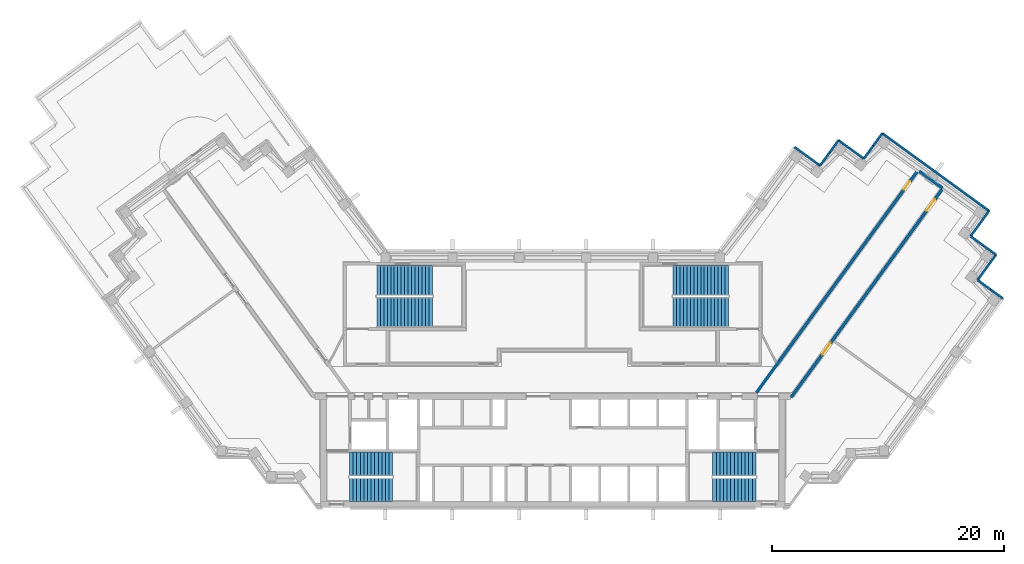
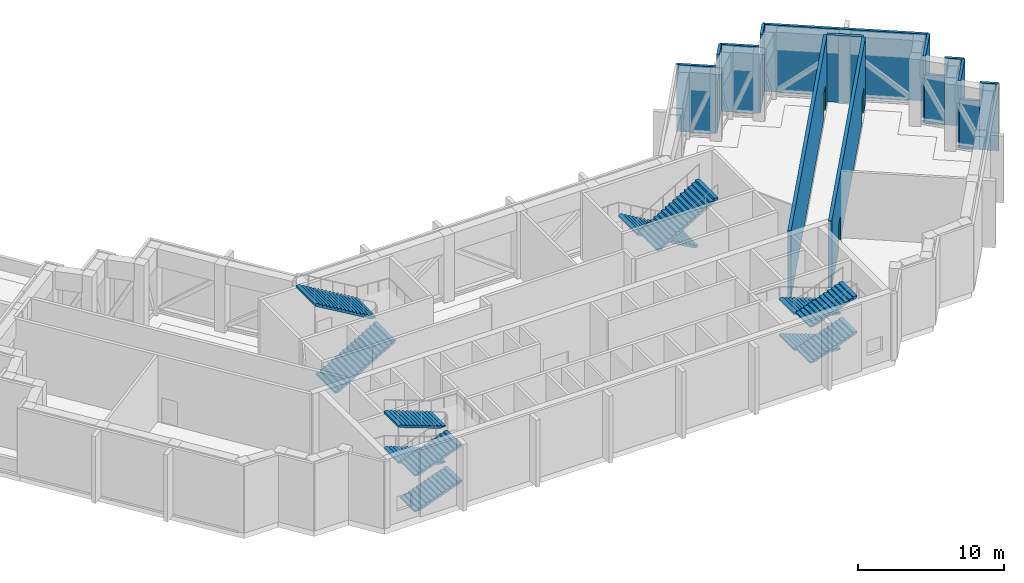
# One storey, part 12 of 15: 16 walls, 12 stair flights, 3 doors, 3 openings, 4 elements without a shape of their own.
"""IFC4 building model written with IfcOpenShell, lengths in metres."""

import ifcopenshell
import ifcopenshell.guid

model = None  # the IFC model being written
_history = None  # IfcOwnerHistory: only IFC2X3 demands one
_inside = {}  # id of a spatial element -> (the spatial element, [elements in it])
_under = {}  # id of a project, library or spatial element -> (it, [spatial elements below it])
_declared = {}  # id of a project -> (the project, [libraries it declares])
_typed = {}  # id of a type object -> (the type object, [elements of that type])
_made_of = {}  # id of a material, layer set ... -> (it, [elements and type objects made of it])


def new_model(schema):
    """Start an empty IFC model of exactly this schema.

    Asked for "IFC4X3", IfcOpenShell would pick the latest addendum, in which some entities
    have other attributes; the version numbers below select the first issue.
    IFC2X3 requires an IfcOwnerHistory on every rooted entity: one is made here for all.
    """
    global model, _history
    if schema == "IFC4X3":
        model = ifcopenshell.file(schema_version=(4, 3, 0, 0))
    else:
        model = ifcopenshell.file(schema=schema)
    _inside.clear()
    _under.clear()
    _declared.clear()
    _typed.clear()
    _made_of.clear()
    _history = None
    if model.schema == "IFC2X3":
        org = make("IfcOrganization", Name="unknown")
        user = make(
            "IfcPersonAndOrganization",
            ThePerson=make("IfcPerson", FamilyName="unknown"),
            TheOrganization=org,
        )
        app = make(
            "IfcApplication",
            ApplicationDeveloper=org,
            Version="unknown",
            ApplicationFullName="unknown",
            ApplicationIdentifier="unknown",
        )
        _history = make(
            "IfcOwnerHistory",
            OwningUser=user,
            OwningApplication=app,
            ChangeAction="ADDED",
            CreationDate=0,
        )
    return model


def make(cls, **values):
    """One entity of the class cls with the attributes given. An attribute that is None is left unset."""
    return model.create_entity(
        cls, **{name: value for name, value in values.items() if value is not None}
    )


def rooted(cls, **values):
    """An entity with a GlobalId (a new one), such as an element, a storey or a relation."""
    return make(cls, GlobalId=ifcopenshell.guid.new(), OwnerHistory=_history, **values)


def si_unit(unit_type, name, prefix=None):
    """IfcSIUnit, for example si_unit("LENGTHUNIT", "METRE", prefix="MILLI")."""
    return make("IfcSIUnit", UnitType=unit_type, Prefix=prefix, Name=name)


def assignment(units):
    """IfcUnitAssignment: the units of a project."""
    return None if units is None else make("IfcUnitAssignment", Units=units)


def point(xyz):
    """IfcCartesianPoint."""
    return None if xyz is None else make("IfcCartesianPoint", Coordinates=xyz)


def direction(xyz):
    """IfcDirection."""
    return None if xyz is None else make("IfcDirection", DirectionRatios=xyz)


def frame(location, z_axis=None, x_axis=None):
    """IfcAxis2Placement3D, a coordinate frame: its origin and axes. An axis left out is left unset."""
    return make(
        "IfcAxis2Placement3D",
        Location=point(location),
        Axis=direction(z_axis),
        RefDirection=direction(x_axis),
    )


def frame_2d(location, x_axis=None):
    """IfcAxis2Placement2D, a coordinate frame in the plane: its origin and x axis."""
    return make(
        "IfcAxis2Placement2D", Location=point(location), RefDirection=direction(x_axis)
    )


def origin():
    """The frame at (0, 0, 0) with its axes left unset."""
    return frame((0.0, 0.0, 0.0))


def place(relative_to, where):
    """IfcLocalPlacement: puts the frame where relative to a parent placement (None: the world)."""
    return make(
        "IfcLocalPlacement", PlacementRelTo=relative_to, RelativePlacement=where
    )


def context(
    kind, dimensions, precision=None, world=None, true_north=None, identifier=None
):
    """IfcGeometricRepresentationContext, for example the 3D "Model" context."""
    return make(
        "IfcGeometricRepresentationContext",
        ContextIdentifier=identifier,
        ContextType=kind,
        CoordinateSpaceDimension=dimensions,
        Precision=precision,
        WorldCoordinateSystem=world,
        TrueNorth=true_north,
    )


def subcontext(parent, identifier, kind, view, scale=None):
    """IfcGeometricRepresentationSubContext, for example "Body" below "Model"."""
    return make(
        "IfcGeometricRepresentationSubContext",
        ContextIdentifier=identifier,
        ContextType=kind,
        ParentContext=parent,
        TargetScale=scale,
        TargetView=view,
    )


def project(units=None, contexts=None):
    """IfcProject with its units and contexts."""
    return rooted(
        "IfcProject",
        Name="project",
        RepresentationContexts=contexts,
        UnitsInContext=assignment(units),
    )


def spatial(cls, under=None, at=None, **own):
    """A site, building, storey or space (cls), placed at a placement, below another one or the project."""
    s = rooted(cls, ObjectPlacement=at, **own)
    if under is not None:
        _under.setdefault(under.id(), (under, []))[1].append(s)
    return s


def polyline(points):
    """IfcPolyline through the points."""
    return make("IfcPolyline", Points=[point(p) for p in points])


def profile(cls, at=None, kind="AREA", **sizes):
    """A parametric profile (cls). Its sizes go by their IFC names, for example OverallWidth=200.0."""
    return make(cls, ProfileType=kind, Position=at, **sizes)


def rectangle(**sizes):
    """IfcRectangleProfileDef."""
    return profile("IfcRectangleProfileDef", **sizes)


def outline(outer, holes=None, kind="AREA"):
    """IfcArbitraryClosedProfileDef: a profile drawn as a closed curve; with holes, ...WithVoids."""
    if holes is None:
        return make("IfcArbitraryClosedProfileDef", ProfileType=kind, OuterCurve=outer)
    return make(
        "IfcArbitraryProfileDefWithVoids",
        ProfileType=kind,
        OuterCurve=outer,
        InnerCurves=holes,
    )


def extrude(swept, where, along, depth):
    """IfcExtrudedAreaSolid: the profile swept, set in the frame where, extruded along a direction by depth."""
    return make(
        "IfcExtrudedAreaSolid",
        SweptArea=swept,
        Position=where,
        ExtrudedDirection=direction(along),
        Depth=depth,
    )


def shape(context_of_items, identifier, shape_type, items):
    """IfcShapeRepresentation: the items that make up one representation, for example the "Body"."""
    return make(
        "IfcShapeRepresentation",
        ContextOfItems=context_of_items,
        RepresentationIdentifier=identifier,
        RepresentationType=shape_type,
        Items=items,
    )


def material(Name=None, Category=None):
    """IfcMaterial."""
    return make("IfcMaterial", Name=Name, Category=Category)


def layer(
    of_material, thickness, ventilated=None, Name=None, Category=None, Priority=None
):
    """IfcMaterialLayer: one layer of a wall or slab, of a material (None: an air gap)."""
    return make(
        "IfcMaterialLayer",
        Material=of_material,
        LayerThickness=thickness,
        IsVentilated=ventilated,
        Name=Name,
        Category=Category,
        Priority=Priority,
    )


def layer_set(layers, Name=None):
    """IfcMaterialLayerSet."""
    return make("IfcMaterialLayerSet", MaterialLayers=layers, LayerSetName=Name)


def made_of(thing, what):
    """Note that an element or type object is made of a material, layer set ...; save() writes the relation."""
    if what is not None:
        _made_of.setdefault(what.id(), (what, []))[1].append(thing)
    return thing


def type_object(cls, material=None, **own):
    """A type object (cls), such as IfcWallType, which elements share."""
    return made_of(rooted(cls, **own), material)


def element(
    cls,
    number,
    at=None,
    inside=None,
    cuts=None,
    type_object=None,
    material=None,
    context=None,
    identifier="Body",
    shape_type=None,
    held_by="IfcProductDefinitionShape",
    body=None,
    shapes=None,
    **own,
):
    """One element of the class cls, such as IfcWall. Its Tag is "e" and its number.

    at: its placement. inside: the storey or other place that contains it. cuts: it is an
    opening in that element (IfcRelVoidsElement). A single representation is given by context,
    identifier, shape_type and body (its items); several are given by shapes. held_by: the class
    of the entity that holds the representations. save() writes the other relations.
    """
    e = rooted(cls, Tag="e%d" % number, ObjectPlacement=at, **own)
    if body is not None:
        shapes = [shape(context, identifier, shape_type, body)]
    if shapes is not None:
        e.Representation = make(held_by, Representations=shapes)
    if inside is not None:
        _inside.setdefault(inside.id(), (inside, []))[1].append(e)
    if cuts is not None:
        rooted(
            "IfcRelVoidsElement", RelatingBuildingElement=cuts, RelatedOpeningElement=e
        )
    if type_object is not None:
        _typed.setdefault(type_object.id(), (type_object, []))[1].append(e)
    return made_of(e, material)


def fill(opening, filler):
    """IfcRelFillsElement: the door or window that sits in an opening."""
    return rooted(
        "IfcRelFillsElement",
        RelatingOpeningElement=opening,
        RelatedBuildingElement=filler,
    )


def aggregate(whole, parts):
    """IfcRelAggregates: a whole, such as a stair, and the parts it consists of."""
    return rooted("IfcRelAggregates", RelatingObject=whole, RelatedObjects=parts)


def save(model, path):
    """Write the relations noted so far, then the file.

    IfcRelAggregates (storeys below a building ...), IfcRelContainedInSpatialStructure (elements
    in a storey), IfcRelDefinesByType, IfcRelAssociatesMaterial and IfcRelDeclares: one each for
    every whole, place, type object, material and project.
    """
    for whole, parts in _under.values():
        aggregate(whole, parts)
    for where, things in _inside.values():
        rooted(
            "IfcRelContainedInSpatialStructure",
            RelatedElements=things,
            RelatingStructure=where,
        )
    for kind, things in _typed.values():
        rooted("IfcRelDefinesByType", RelatedObjects=things, RelatingType=kind)
    for what, things in _made_of.values():
        rooted("IfcRelAssociatesMaterial", RelatedObjects=things, RelatingMaterial=what)
    for by, libraries in _declared.values():
        rooted("IfcRelDeclares", RelatingContext=by, RelatedDefinitions=libraries)
    model.write(path)


model = new_model("IFC4")

# Units and contexts
model_context = context("Model", 3, precision=1e-05, world=origin(), true_north=direction((0.0, 1.0)))
body_context = subcontext(model_context, "Body", "Model", "MODEL_VIEW")
ifc_project = project(units=[si_unit("LENGTHUNIT", "METRE"), si_unit("AREAUNIT", "SQUARE_METRE"), si_unit("VOLUMEUNIT", "CUBIC_METRE"), si_unit("PLANEANGLEUNIT", "RADIAN"), si_unit("MASSUNIT", "GRAM", prefix="KILO")], contexts=[model_context])

# Site, building, storey
site_placement = place(None, origin())
site = spatial("IfcSite", under=ifc_project, at=site_placement, CompositionType="ELEMENT")
building_placement = place(site_placement, origin())
building = spatial("IfcBuilding", under=site, at=building_placement, Name="Quipu Civic Tower", CompositionType="ELEMENT")
storey_placement = place(building_placement, frame((0.0, 0.0, 242.0)))
storey = spatial("IfcBuildingStorey", under=building, at=storey_placement, Name="L57", CompositionType="ELEMENT", Elevation=242.0)

# Wall, opening, door
ifc_material_1 = material(Name="Concrete C50/60", Category="concrete")
ifc_layer = layer(ifc_material_1, 0.25)
ifc_layer_set = layer_set([ifc_layer], Name="Concrete C50/60")
wall_type_1 = type_object("IfcWallType", Name="Corridor wall 250 concrete", PredefinedType="SOLIDWALL", material=ifc_layer_set)
wall_1_placement = place(storey_placement, frame((17.544921875, -1.124755859375, 0.0), z_axis=(0.0, 0.0, 1.0), x_axis=(0.587789755823, 0.80901372235, 0.0)))
wall_1 = element("IfcWall", 1, at=wall_1_placement, inside=storey, type_object=wall_type_1, Name="Corridor wall C03", PredefinedType="SOLIDWALL", context=body_context, shape_type="SweptSolid", body=[
    extrude(rectangle(XDim=23.64453125, YDim=0.25, at=frame_2d((11.822265625, 0.0))), origin(), (0.0, 0.0, 1.0), 5.60009765625),
])
opening_1_placement = place(wall_1_placement, frame((21.602783203125, 0.0, 0.0)))
opening_1 = element("IfcOpeningElement", 2, at=opening_1_placement, cuts=wall_1, Name="Opening D001", PredefinedType="OPENING", context=body_context, shape_type="SweptSolid", body=[
    extrude(rectangle(XDim=0.89990234375, YDim=2.10009765625, at=frame_2d((0.449951171875, 1.050048828125))), frame((0.0, 0.135009765625, 0.0), z_axis=(0.0, -1.0, 0.0), x_axis=(1.0, 0.0, 0.0)), (0.0, 0.0, 1.0), 0.27001953125),
])
ifc_material_2 = material(Name="Fire rated timber door set with metal frame", Category="wood")
door_type_1 = type_object("IfcDoorType", Name="Single door 900 x 2100 FD60", OperationType="NOTDEFINED", PredefinedType="DOOR", material=ifc_material_2)
door_1_placement = place(opening_1_placement, origin())
door_1 = element("IfcDoor", 3, at=door_1_placement, inside=storey, type_object=door_type_1, Name="Door D001", OperationType="SINGLE_SWING_RIGHT", OverallHeight=2.10009765625, OverallWidth=0.89990234375, PredefinedType="DOOR", context=body_context, shape_type="SweptSolid", body=[
    extrude(rectangle(XDim=0.89990234375, YDim=2.10009765625, at=frame_2d((0.449951171875, 1.050048828125))), frame((0.0, 0.02490234375, 0.0), z_axis=(0.0, -1.0, 0.0), x_axis=(1.0, 0.0, 0.0)), (0.0, 0.0, 1.0), 0.050048828125),
])
fill(opening_1, door_1)

# Wall
wall_2_placement = place(storey_placement, frame((31.566650390625, 17.95556640625, 0.0), z_axis=(0.0, 0.0, 1.0), x_axis=(0.809011863271, -0.587792314586, 0.0)))
element("IfcWall", 4, at=wall_2_placement, inside=storey, type_object=wall_type_1, Name="Corridor wall C04", PredefinedType="SOLIDWALL", context=body_context, shape_type="SweptSolid", body=[
    extrude(rectangle(XDim=2.487548828125, YDim=0.25, at=frame_2d((1.24365234375, 0.0))), origin(), (0.0, 0.0, 1.0), 5.60009765625),
])

# Wall, openings, doors
wall_3_placement = place(storey_placement, frame((33.53076171875, 16.369384765625, 0.0), z_axis=(0.0, 0.0, 1.0), x_axis=(-0.587781095509, -0.809020014438, 0.0)))
wall_3 = element("IfcWall", 5, at=wall_3_placement, inside=storey, type_object=wall_type_1, Name="Corridor wall C05", PredefinedType="SOLIDWALL", context=body_context, shape_type="SweptSolid", body=[
    extrude(rectangle(XDim=22.11669921875, YDim=0.25, at=frame_2d((11.058349609375, 0.0))), origin(), (0.0, 0.0, 1.0), 5.60009765625),
])
opening_2_placement = place(wall_3_placement, frame((16.3515625, 0.0, 0.0)))
opening_2 = element("IfcOpeningElement", 6, at=opening_2_placement, cuts=wall_3, Name="Opening D002", PredefinedType="OPENING", context=body_context, shape_type="SweptSolid", body=[
    extrude(rectangle(XDim=1.199951171875, YDim=2.10009765625, at=frame_2d((0.60009765625, 1.050048828125))), frame((0.0, 0.135009765625, 0.0), z_axis=(0.0, -1.0, 0.0), x_axis=(1.0, 0.0, 0.0)), (0.0, 0.0, 1.0), 0.27001953125),
])
opening_3_placement = place(wall_3_placement, frame((1.04638671875, 0.0, 0.0)))
opening_3 = element("IfcOpeningElement", 7, at=opening_3_placement, cuts=wall_3, Name="Opening D003", PredefinedType="OPENING", context=body_context, shape_type="SweptSolid", body=[
    extrude(rectangle(XDim=1.199951171875, YDim=2.10009765625, at=frame_2d((0.60009765625, 1.050048828125))), frame((0.0, 0.135009765625, 0.0), z_axis=(0.0, -1.0, 0.0), x_axis=(1.0, 0.0, 0.0)), (0.0, 0.0, 1.0), 0.27001953125),
])
ifc_material_3 = material(Name="Fire rated timber door set with metal frame", Category="wood")
door_type_2 = type_object("IfcDoorType", Name="Single door 1200 x 2100 FD60", OperationType="NOTDEFINED", PredefinedType="DOOR", material=ifc_material_3)
door_2_placement = place(opening_2_placement, origin())
door_2 = element("IfcDoor", 8, at=door_2_placement, inside=storey, type_object=door_type_2, Name="Door D002", OperationType="SINGLE_SWING_LEFT", OverallHeight=2.10009765625, OverallWidth=1.199951171875, PredefinedType="DOOR", context=body_context, shape_type="SweptSolid", body=[
    extrude(rectangle(XDim=1.199951171875, YDim=2.10009765625, at=frame_2d((0.60009765625, 1.050048828125))), frame((0.0, 0.02490234375, 0.0), z_axis=(0.0, -1.0, 0.0), x_axis=(1.0, 0.0, 0.0)), (0.0, 0.0, 1.0), 0.050048828125),
])
fill(opening_2, door_2)
door_3_placement = place(opening_3_placement, origin())
door_3 = element("IfcDoor", 9, at=door_3_placement, inside=storey, type_object=door_type_2, Name="Door D003", OperationType="SINGLE_SWING_LEFT", OverallHeight=2.10009765625, OverallWidth=1.199951171875, PredefinedType="DOOR", context=body_context, shape_type="SweptSolid", body=[
    extrude(rectangle(XDim=1.199951171875, YDim=2.10009765625, at=frame_2d((0.60009765625, 1.050048828125))), frame((0.0, 0.02490234375, 0.0), z_axis=(0.0, -1.0, 0.0), x_axis=(1.0, 0.0, 0.0)), (0.0, 0.0, 1.0), 0.050048828125),
])
fill(opening_3, door_3)

# Walls
ifc_material_4 = material(Name="Precast concrete C40/50", Category="concrete")
wall_type_2 = type_object("IfcWallType", Name="Precast cladding wall", PredefinedType="SOLIDWALL", material=ifc_material_4)
wall_4_placement = place(storey_placement, frame((38.7890625, 6.976318359375, 0.0), z_axis=(0.0, 0.0, 1.0), x_axis=(-0.809011398613, 0.587792954121, 0.0)))
element("IfcWall", 10, at=wall_4_placement, inside=storey, type_object=wall_type_2, Name="Precast cladding wall L57 26", PredefinedType="SOLIDWALL", context=body_context, shape_type="SweptSolid", body=[
    extrude(rectangle(XDim=1.303466796875, YDim=0.199951171875, at=frame_2d((0.65185546875, 0.0))), origin(), (0.0, 0.0, 1.0), 5.60009765625),
])
wall_5_placement = place(storey_placement, frame((37.734619140625, 7.742431640625, 0.0), z_axis=(0.0, 0.0, 1.0), x_axis=(-0.808970345434, 0.587849453694, 0.0)))
element("IfcWall", 11, at=wall_5_placement, inside=storey, type_object=wall_type_2, Name="Precast cladding wall L57 26 a", PredefinedType="SOLIDWALL", context=body_context, shape_type="SweptSolid", body=[
    extrude(rectangle(XDim=1.396728515625, YDim=0.199951171875, at=frame_2d((0.6982421875, 0.0))), origin(), (0.0, 0.0, 1.0), 4.10009765625),
])
wall_6_placement = place(storey_placement, frame((36.60205078125, 8.580322265625, 0.0), z_axis=(0.0, 0.0, 1.0), x_axis=(0.587822180636, 0.808990163075, 0.0)))
element("IfcWall", 12, at=wall_6_placement, inside=storey, type_object=wall_type_2, Name="Precast cladding wall L57 27", PredefinedType="SOLIDWALL", context=body_context, shape_type="SweptSolid", body=[
    extrude(rectangle(XDim=2.699951171875, YDim=0.199951171875, at=frame_2d((1.35009765625, 0.0))), origin(), (0.0, 0.0, 1.0), 5.60009765625),
])
wall_7_placement = place(storey_placement, frame((38.191650390625, 10.747802734375, 0.0), z_axis=(0.0, 0.0, 1.0), x_axis=(-0.808985145084, 0.587829086584, 0.0)))
element("IfcWall", 13, at=wall_7_placement, inside=storey, type_object=wall_type_2, Name="Precast cladding wall L57 28", PredefinedType="SOLIDWALL", context=body_context, shape_type="SweptSolid", body=[
    extrude(rectangle(XDim=1.313720703125, YDim=0.199951171875, at=frame_2d((0.65673828125, 0.0))), origin(), (0.0, 0.0, 1.0), 5.60009765625),
])
wall_8_placement = place(storey_placement, frame((37.12890625, 11.52001953125, 0.0), z_axis=(0.0, 0.0, 1.0), x_axis=(-0.809078659976, 0.58770036751, 0.0)))
element("IfcWall", 14, at=wall_8_placement, inside=storey, type_object=wall_type_2, Name="Precast cladding wall L57 28 a", PredefinedType="SOLIDWALL", context=body_context, shape_type="SweptSolid", body=[
    extrude(rectangle(XDim=1.38623046875, YDim=0.199951171875, at=frame_2d((0.693115234375, 0.0))), origin(), (0.0, 0.0, 1.0), 4.10009765625),
])
wall_9_placement = place(storey_placement, frame((36.0048828125, 12.3515625, 0.0), z_axis=(0.0, 0.0, 1.0), x_axis=(0.587762999008, 0.809033161865, 0.0)))
element("IfcWall", 15, at=wall_9_placement, inside=storey, type_object=wall_type_2, Name="Precast cladding wall L57 29", PredefinedType="SOLIDWALL", context=body_context, shape_type="SweptSolid", body=[
    extrude(rectangle(XDim=2.699951171875, YDim=0.199951171875, at=frame_2d((1.35009765625, 0.0))), origin(), (0.0, 0.0, 1.0), 5.60009765625),
])
wall_10_placement = place(storey_placement, frame((37.594482421875, 14.519287109375, 0.0), z_axis=(0.0, 0.0, 1.0), x_axis=(-0.809023074878, 0.587776883106, 0.0)))
element("IfcWall", 16, at=wall_10_placement, inside=storey, type_object=wall_type_2, Name="Precast cladding wall L57 30", PredefinedType="SOLIDWALL", context=body_context, shape_type="SweptSolid", body=[
    extrude(rectangle(XDim=11.400146484375, YDim=0.199951171875, at=frame_2d((5.7001953125, 0.0))), origin(), (0.0, 0.0, 1.0), 5.60009765625),
])
wall_11_placement = place(storey_placement, frame((28.388427734375, 21.22265625, 0.0), z_axis=(0.0, 0.0, 1.0), x_axis=(-0.587707438817, -0.809073523457, 0.0)))
element("IfcWall", 17, at=wall_11_placement, inside=storey, type_object=wall_type_2, Name="Precast cladding wall L57 31", PredefinedType="SOLIDWALL", context=body_context, shape_type="SweptSolid", body=[
    extrude(rectangle(XDim=1.3134765625, YDim=0.199951171875, at=frame_2d((0.65673828125, 0.0))), origin(), (0.0, 0.0, 1.0), 5.60009765625),
])
wall_12_placement = place(storey_placement, frame((27.616455078125, 20.159912109375, 0.0), z_axis=(0.0, 0.0, 1.0), x_axis=(-0.587731903943, -0.809055751533, 0.0)))
element("IfcWall", 18, at=wall_12_placement, inside=storey, type_object=wall_type_2, Name="Precast cladding wall L57 31 a", PredefinedType="SOLIDWALL", context=body_context, shape_type="SweptSolid", body=[
    extrude(rectangle(XDim=1.386474609375, YDim=0.199951171875, at=frame_2d((0.693359375, 0.0))), origin(), (0.0, 0.0, 1.0), 4.10009765625),
])
wall_13_placement = place(storey_placement, frame((26.78466796875, 19.03564453125, 0.0), z_axis=(0.0, 0.0, 1.0), x_axis=(-0.809064397168, 0.587720002413, 0.0)))
element("IfcWall", 19, at=wall_13_placement, inside=storey, type_object=wall_type_2, Name="Precast cladding wall L57 32", PredefinedType="SOLIDWALL", context=body_context, shape_type="SweptSolid", body=[
    extrude(rectangle(XDim=2.7001953125, YDim=0.199951171875, at=frame_2d((1.35009765625, 0.0))), origin(), (0.0, 0.0, 1.0), 5.60009765625),
])
wall_14_placement = place(storey_placement, frame((24.616943359375, 20.625244140625, 0.0), z_axis=(0.0, 0.0, 1.0), x_axis=(-0.587772972264, -0.809025916196, 0.0)))
element("IfcWall", 20, at=wall_14_placement, inside=storey, type_object=wall_type_2, Name="Precast cladding wall L57 33", PredefinedType="SOLIDWALL", context=body_context, shape_type="SweptSolid", body=[
    extrude(rectangle(XDim=1.310791015625, YDim=0.199951171875, at=frame_2d((0.6552734375, 0.0))), origin(), (0.0, 0.0, 1.0), 5.60009765625),
])
wall_15_placement = place(storey_placement, frame((23.846435546875, 19.564697265625, 0.0), z_axis=(0.0, 0.0, 1.0), x_axis=(-0.587753586678, -0.809039999844, 0.0)))
element("IfcWall", 21, at=wall_15_placement, inside=storey, type_object=wall_type_2, Name="Precast cladding wall L57 33 a", PredefinedType="SOLIDWALL", context=body_context, shape_type="SweptSolid", body=[
    extrude(rectangle(XDim=1.388916015625, YDim=0.199951171875, at=frame_2d((0.6943359375, 0.0))), origin(), (0.0, 0.0, 1.0), 4.10009765625),
])
wall_16_placement = place(storey_placement, frame((23.01318359375, 18.438232421875, 0.0), z_axis=(0.0, 0.0, 1.0), x_axis=(-0.808990163075, 0.587822180636, 0.0)))
element("IfcWall", 22, at=wall_16_placement, inside=storey, type_object=wall_type_2, Name="Precast cladding wall L57 34", PredefinedType="SOLIDWALL", context=body_context, shape_type="SweptSolid", body=[
    extrude(rectangle(XDim=2.699951171875, YDim=0.199951171875, at=frame_2d((1.35009765625, 0.0))), origin(), (0.0, 0.0, 1.0), 5.60009765625),
])

# Stair, stair flights
ifc_material_5 = material(Name="Concrete C40/50", Category="concrete")
stair_type_1 = type_object("IfcStairType", Name="Half turn stair 2000", PredefinedType="HALF_TURN_STAIR", material=ifc_material_5)
stair_1_placement = place(storey_placement, origin())
stair_1 = element("IfcStair", 23, at=stair_1_placement, inside=storey, type_object=stair_type_1, Name="Exit stair 1", PredefinedType="HALF_TURN_STAIR")
ifc_material_6 = material(Name="Concrete C40/50", Category="concrete")
stair_flight_type_1 = type_object("IfcStairFlightType", Name="Stair flight 2000", PredefinedType="STRAIGHT", material=ifc_material_6)
stair_flight_1_placement = place(storey_placement, frame((-17.5, -9.5, 0.0), z_axis=(0.0, 0.0, 1.0), x_axis=(1.0, 0.0, 0.0)))
stair_flight_1 = element("IfcStairFlight", 24, at=stair_flight_1_placement, type_object=stair_flight_type_1, Name="ST-1 flight 1", NumberOfRisers=13, NumberOfTreads=12, PredefinedType="STRAIGHT", RiserHeight=0.115384615, TreadLength=0.31, context=body_context, shape_type="SweptSolid", body=[
    extrude(outline(polyline([(0.0, 0.0), (0.0, 0.115478515625), (0.31005859375, 0.115478515625), (0.31005859375, 0.230712890625), (0.6201171875, 0.230712890625), (0.6201171875, 0.34619140625), (0.929931640625, 0.34619140625), (0.929931640625, 0.46142578125), (1.239990234375, 0.46142578125), (1.239990234375, 0.576904296875), (1.550048828125, 0.576904296875), (1.550048828125, 0.6923828125), (1.860107421875, 0.6923828125), (1.860107421875, 0.8076171875), (2.169921875, 0.8076171875), (2.169921875, 0.923095703125), (2.47998046875, 0.923095703125), (2.47998046875, 1.03857421875), (2.7900390625, 1.03857421875), (2.7900390625, 1.15380859375), (3.10009765625, 1.15380859375), (3.10009765625, 1.269287109375), (3.409912109375, 1.269287109375), (3.409912109375, 1.384521484375), (3.719970703125, 1.384521484375), (3.719970703125, 1.5), (3.719970703125, 1.224609375), (0.4296875, 0.0), (0.0, 0.0)])), frame((0.0, 1.0, 0.0), z_axis=(0.0, -1.0, 0.0), x_axis=(1.0, 0.0, 0.0)), (0.0, 0.0, 1.0), 2.0),
])
stair_flight_2_placement = place(storey_placement, frame((-13.780029296875, -7.25, 1.5), z_axis=(0.0, 0.0, 1.0), x_axis=(-1.0, 0.0, 0.0)))
stair_flight_2 = element("IfcStairFlight", 25, at=stair_flight_2_placement, type_object=stair_flight_type_1, Name="ST-1 flight 2", NumberOfRisers=13, NumberOfTreads=12, PredefinedType="STRAIGHT", RiserHeight=0.115384615, TreadLength=0.31, context=body_context, shape_type="SweptSolid", body=[
    extrude(outline(polyline([(0.0, 0.0), (0.0, 0.115478515625), (0.31005859375, 0.115478515625), (0.31005859375, 0.230712890625), (0.6201171875, 0.230712890625), (0.6201171875, 0.34619140625), (0.929931640625, 0.34619140625), (0.929931640625, 0.46142578125), (1.239990234375, 0.46142578125), (1.239990234375, 0.576904296875), (1.550048828125, 0.576904296875), (1.550048828125, 0.6923828125), (1.860107421875, 0.6923828125), (1.860107421875, 0.8076171875), (2.169921875, 0.8076171875), (2.169921875, 0.923095703125), (2.47998046875, 0.923095703125), (2.47998046875, 1.03857421875), (2.7900390625, 1.03857421875), (2.7900390625, 1.15380859375), (3.10009765625, 1.15380859375), (3.10009765625, 1.269287109375), (3.409912109375, 1.269287109375), (3.409912109375, 1.384521484375), (3.719970703125, 1.384521484375), (3.719970703125, 1.5), (3.719970703125, 1.224609375), (0.4296875, 0.0), (0.0, 0.0)])), frame((0.0, 1.0, 0.0), z_axis=(0.0, -1.0, 0.0), x_axis=(1.0, 0.0, 0.0)), (0.0, 0.0, 1.0), 2.0),
])
stair_flight_3_placement = place(storey_placement, frame((-17.5, -9.5, 3.0), z_axis=(0.0, 0.0, 1.0), x_axis=(1.0, 0.0, 0.0)))
stair_flight_3 = element("IfcStairFlight", 26, at=stair_flight_3_placement, type_object=stair_flight_type_1, Name="ST-1 flight 3", NumberOfRisers=13, NumberOfTreads=12, PredefinedType="STRAIGHT", RiserHeight=0.115384615, TreadLength=0.31, context=body_context, shape_type="SweptSolid", body=[
    extrude(outline(polyline([(0.0, 0.0), (0.0, 0.115478515625), (0.31005859375, 0.115478515625), (0.31005859375, 0.230712890625), (0.6201171875, 0.230712890625), (0.6201171875, 0.34619140625), (0.929931640625, 0.34619140625), (0.929931640625, 0.46142578125), (1.239990234375, 0.46142578125), (1.239990234375, 0.576904296875), (1.550048828125, 0.576904296875), (1.550048828125, 0.6923828125), (1.860107421875, 0.6923828125), (1.860107421875, 0.8076171875), (2.169921875, 0.8076171875), (2.169921875, 0.923095703125), (2.47998046875, 0.923095703125), (2.47998046875, 1.03857421875), (2.7900390625, 1.03857421875), (2.7900390625, 1.15380859375), (3.10009765625, 1.15380859375), (3.10009765625, 1.269287109375), (3.409912109375, 1.269287109375), (3.409912109375, 1.384521484375), (3.719970703125, 1.384521484375), (3.719970703125, 1.5), (3.719970703125, 1.224609375), (0.4296875, 0.0), (0.0, 0.0)])), frame((0.0, 1.0, 0.0), z_axis=(0.0, -1.0, 0.0), x_axis=(1.0, 0.0, 0.0)), (0.0, 0.0, 1.0), 2.0),
])
stair_flight_4_placement = place(storey_placement, frame((-13.780029296875, -7.25, 4.5), z_axis=(0.0, 0.0, 1.0), x_axis=(-1.0, 0.0, 0.0)))
stair_flight_4 = element("IfcStairFlight", 27, at=stair_flight_4_placement, type_object=stair_flight_type_1, Name="ST-1 flight 4", NumberOfRisers=13, NumberOfTreads=12, PredefinedType="STRAIGHT", RiserHeight=0.115384615, TreadLength=0.31, context=body_context, shape_type="SweptSolid", body=[
    extrude(outline(polyline([(0.0, 0.0), (0.0, 0.115478515625), (0.31005859375, 0.115478515625), (0.31005859375, 0.230712890625), (0.6201171875, 0.230712890625), (0.6201171875, 0.34619140625), (0.929931640625, 0.34619140625), (0.929931640625, 0.46142578125), (1.239990234375, 0.46142578125), (1.239990234375, 0.576904296875), (1.550048828125, 0.576904296875), (1.550048828125, 0.6923828125), (1.860107421875, 0.6923828125), (1.860107421875, 0.8076171875), (2.169921875, 0.8076171875), (2.169921875, 0.923095703125), (2.47998046875, 0.923095703125), (2.47998046875, 1.03857421875), (2.7900390625, 1.03857421875), (2.7900390625, 1.15380859375), (3.10009765625, 1.15380859375), (3.10009765625, 1.269287109375), (3.409912109375, 1.269287109375), (3.409912109375, 1.384521484375), (3.719970703125, 1.384521484375), (3.719970703125, 1.5), (3.719970703125, 1.224609375), (0.4296875, 0.0), (0.0, 0.0)])), frame((0.0, 1.0, 0.0), z_axis=(0.0, -1.0, 0.0), x_axis=(1.0, 0.0, 0.0)), (0.0, 0.0, 1.0), 2.0),
])
aggregate(stair_1, [stair_flight_1, stair_flight_2, stair_flight_3, stair_flight_4])

stair_2_placement = place(storey_placement, origin())
stair_2 = element("IfcStair", 28, at=stair_2_placement, inside=storey, type_object=stair_type_1, Name="Exit stair 2", PredefinedType="HALF_TURN_STAIR")
stair_flight_5_placement = place(storey_placement, frame((17.5, -7.25, 0.0), z_axis=(0.0, 0.0, 1.0), x_axis=(-1.0, 0.0, 0.0)))
stair_flight_5 = element("IfcStairFlight", 29, at=stair_flight_5_placement, type_object=stair_flight_type_1, Name="ST-2 flight 1", NumberOfRisers=13, NumberOfTreads=12, PredefinedType="STRAIGHT", RiserHeight=0.115384615, TreadLength=0.31, context=body_context, shape_type="SweptSolid", body=[
    extrude(outline(polyline([(0.0, 0.0), (0.0, 0.115478515625), (0.31005859375, 0.115478515625), (0.31005859375, 0.230712890625), (0.6201171875, 0.230712890625), (0.6201171875, 0.34619140625), (0.929931640625, 0.34619140625), (0.929931640625, 0.46142578125), (1.239990234375, 0.46142578125), (1.239990234375, 0.576904296875), (1.550048828125, 0.576904296875), (1.550048828125, 0.6923828125), (1.860107421875, 0.6923828125), (1.860107421875, 0.8076171875), (2.169921875, 0.8076171875), (2.169921875, 0.923095703125), (2.47998046875, 0.923095703125), (2.47998046875, 1.03857421875), (2.7900390625, 1.03857421875), (2.7900390625, 1.15380859375), (3.10009765625, 1.15380859375), (3.10009765625, 1.269287109375), (3.409912109375, 1.269287109375), (3.409912109375, 1.384521484375), (3.719970703125, 1.384521484375), (3.719970703125, 1.5), (3.719970703125, 1.224609375), (0.4296875, 0.0), (0.0, 0.0)])), frame((0.0, 1.0, 0.0), z_axis=(0.0, -1.0, 0.0), x_axis=(1.0, 0.0, 0.0)), (0.0, 0.0, 1.0), 2.0),
])
stair_flight_6_placement = place(storey_placement, frame((13.780029296875, -9.5, 1.5), z_axis=(0.0, 0.0, 1.0), x_axis=(1.0, 0.0, 0.0)))
stair_flight_6 = element("IfcStairFlight", 30, at=stair_flight_6_placement, type_object=stair_flight_type_1, Name="ST-2 flight 2", NumberOfRisers=13, NumberOfTreads=12, PredefinedType="STRAIGHT", RiserHeight=0.115384615, TreadLength=0.31, context=body_context, shape_type="SweptSolid", body=[
    extrude(outline(polyline([(0.0, 0.0), (0.0, 0.115478515625), (0.31005859375, 0.115478515625), (0.31005859375, 0.230712890625), (0.6201171875, 0.230712890625), (0.6201171875, 0.34619140625), (0.929931640625, 0.34619140625), (0.929931640625, 0.46142578125), (1.239990234375, 0.46142578125), (1.239990234375, 0.576904296875), (1.550048828125, 0.576904296875), (1.550048828125, 0.6923828125), (1.860107421875, 0.6923828125), (1.860107421875, 0.8076171875), (2.169921875, 0.8076171875), (2.169921875, 0.923095703125), (2.47998046875, 0.923095703125), (2.47998046875, 1.03857421875), (2.7900390625, 1.03857421875), (2.7900390625, 1.15380859375), (3.10009765625, 1.15380859375), (3.10009765625, 1.269287109375), (3.409912109375, 1.269287109375), (3.409912109375, 1.384521484375), (3.719970703125, 1.384521484375), (3.719970703125, 1.5), (3.719970703125, 1.224609375), (0.4296875, 0.0), (0.0, 0.0)])), frame((0.0, 1.0, 0.0), z_axis=(0.0, -1.0, 0.0), x_axis=(1.0, 0.0, 0.0)), (0.0, 0.0, 1.0), 2.0),
])
stair_flight_7_placement = place(storey_placement, frame((17.5, -7.25, 3.0), z_axis=(0.0, 0.0, 1.0), x_axis=(-1.0, 0.0, 0.0)))
stair_flight_7 = element("IfcStairFlight", 31, at=stair_flight_7_placement, type_object=stair_flight_type_1, Name="ST-2 flight 3", NumberOfRisers=13, NumberOfTreads=12, PredefinedType="STRAIGHT", RiserHeight=0.115384615, TreadLength=0.31, context=body_context, shape_type="SweptSolid", body=[
    extrude(outline(polyline([(0.0, 0.0), (0.0, 0.115478515625), (0.31005859375, 0.115478515625), (0.31005859375, 0.230712890625), (0.6201171875, 0.230712890625), (0.6201171875, 0.34619140625), (0.929931640625, 0.34619140625), (0.929931640625, 0.46142578125), (1.239990234375, 0.46142578125), (1.239990234375, 0.576904296875), (1.550048828125, 0.576904296875), (1.550048828125, 0.6923828125), (1.860107421875, 0.6923828125), (1.860107421875, 0.8076171875), (2.169921875, 0.8076171875), (2.169921875, 0.923095703125), (2.47998046875, 0.923095703125), (2.47998046875, 1.03857421875), (2.7900390625, 1.03857421875), (2.7900390625, 1.15380859375), (3.10009765625, 1.15380859375), (3.10009765625, 1.269287109375), (3.409912109375, 1.269287109375), (3.409912109375, 1.384521484375), (3.719970703125, 1.384521484375), (3.719970703125, 1.5), (3.719970703125, 1.224609375), (0.4296875, 0.0), (0.0, 0.0)])), frame((0.0, 1.0, 0.0), z_axis=(0.0, -1.0, 0.0), x_axis=(1.0, 0.0, 0.0)), (0.0, 0.0, 1.0), 2.0),
])
stair_flight_8_placement = place(storey_placement, frame((13.780029296875, -9.5, 4.5), z_axis=(0.0, 0.0, 1.0), x_axis=(1.0, 0.0, 0.0)))
stair_flight_8 = element("IfcStairFlight", 32, at=stair_flight_8_placement, type_object=stair_flight_type_1, Name="ST-2 flight 4", NumberOfRisers=13, NumberOfTreads=12, PredefinedType="STRAIGHT", RiserHeight=0.115384615, TreadLength=0.31, context=body_context, shape_type="SweptSolid", body=[
    extrude(outline(polyline([(0.0, 0.0), (0.0, 0.115478515625), (0.31005859375, 0.115478515625), (0.31005859375, 0.230712890625), (0.6201171875, 0.230712890625), (0.6201171875, 0.34619140625), (0.929931640625, 0.34619140625), (0.929931640625, 0.46142578125), (1.239990234375, 0.46142578125), (1.239990234375, 0.576904296875), (1.550048828125, 0.576904296875), (1.550048828125, 0.6923828125), (1.860107421875, 0.6923828125), (1.860107421875, 0.8076171875), (2.169921875, 0.8076171875), (2.169921875, 0.923095703125), (2.47998046875, 0.923095703125), (2.47998046875, 1.03857421875), (2.7900390625, 1.03857421875), (2.7900390625, 1.15380859375), (3.10009765625, 1.15380859375), (3.10009765625, 1.269287109375), (3.409912109375, 1.269287109375), (3.409912109375, 1.384521484375), (3.719970703125, 1.384521484375), (3.719970703125, 1.5), (3.719970703125, 1.224609375), (0.4296875, 0.0), (0.0, 0.0)])), frame((0.0, 1.0, 0.0), z_axis=(0.0, -1.0, 0.0), x_axis=(1.0, 0.0, 0.0)), (0.0, 0.0, 1.0), 2.0),
])
aggregate(stair_2, [stair_flight_5, stair_flight_6, stair_flight_7, stair_flight_8])

ifc_material_7 = material(Name="Concrete C40/50", Category="concrete")
stair_type_2 = type_object("IfcStairType", Name="Half turn stair 2600", PredefinedType="HALF_TURN_STAIR", material=ifc_material_7)
stair_3_placement = place(storey_placement, origin())
stair_3 = element("IfcStair", 33, at=stair_3_placement, inside=storey, type_object=stair_type_2, Name="Exit stair 3", PredefinedType="HALF_TURN_STAIR")
ifc_material_8 = material(Name="Concrete C40/50", Category="concrete")
stair_flight_type_2 = type_object("IfcStairFlightType", Name="Stair flight 2600", PredefinedType="STRAIGHT", material=ifc_material_8)
stair_flight_9_placement = place(storey_placement, frame((-15.14990234375, 5.800048828125, 0.0), z_axis=(0.0, 0.0, 1.0), x_axis=(1.0, 0.0, 0.0)))
stair_flight_9 = element("IfcStairFlight", 34, at=stair_flight_9_placement, type_object=stair_flight_type_2, Name="ST-3 flight 1", NumberOfRisers=17, NumberOfTreads=16, PredefinedType="STRAIGHT", RiserHeight=0.176470588, TreadLength=0.3, context=body_context, shape_type="SweptSolid", body=[
    extrude(outline(polyline([(0.0, 0.0), (0.0, 0.176513671875), (0.300048828125, 0.176513671875), (0.300048828125, 0.35302734375), (0.60009765625, 0.35302734375), (0.60009765625, 0.529296875), (0.89990234375, 0.529296875), (0.89990234375, 0.705810546875), (1.199951171875, 0.705810546875), (1.199951171875, 0.88232421875), (1.5, 0.88232421875), (1.5, 1.058837890625), (1.800048828125, 1.058837890625), (1.800048828125, 1.2353515625), (2.10009765625, 1.2353515625), (2.10009765625, 1.411865234375), (2.39990234375, 1.411865234375), (2.39990234375, 1.588134765625), (2.699951171875, 1.588134765625), (2.699951171875, 1.7646484375), (3.0, 1.7646484375), (3.0, 1.941162109375), (3.300048828125, 1.941162109375), (3.300048828125, 2.11767578125), (3.60009765625, 2.11767578125), (3.60009765625, 2.294189453125), (3.89990234375, 2.294189453125), (3.89990234375, 2.470703125), (4.199951171875, 2.470703125), (4.199951171875, 2.64697265625), (4.5, 2.64697265625), (4.5, 2.823486328125), (4.800048828125, 2.823486328125), (4.800048828125, 3.0), (4.800048828125, 2.649658203125), (0.295654296875, 0.0), (0.0, 0.0)])), frame((0.0, 1.300048828125, 0.0), z_axis=(0.0, -1.0, 0.0), x_axis=(1.0, 0.0, 0.0)), (0.0, 0.0, 1.0), 2.60009765625),
])
stair_flight_10_placement = place(storey_placement, frame((-10.35009765625, 8.550048828125, 3.0), z_axis=(0.0, 0.0, 1.0), x_axis=(-1.0, 0.0, 0.0)))
stair_flight_10 = element("IfcStairFlight", 35, at=stair_flight_10_placement, type_object=stair_flight_type_2, Name="ST-3 flight 2", NumberOfRisers=17, NumberOfTreads=16, PredefinedType="STRAIGHT", RiserHeight=0.176470588, TreadLength=0.3, context=body_context, shape_type="SweptSolid", body=[
    extrude(outline(polyline([(0.0, 0.0), (0.0, 0.176513671875), (0.300048828125, 0.176513671875), (0.300048828125, 0.35302734375), (0.60009765625, 0.35302734375), (0.60009765625, 0.529296875), (0.89990234375, 0.529296875), (0.89990234375, 0.705810546875), (1.199951171875, 0.705810546875), (1.199951171875, 0.88232421875), (1.5, 0.88232421875), (1.5, 1.058837890625), (1.800048828125, 1.058837890625), (1.800048828125, 1.2353515625), (2.10009765625, 1.2353515625), (2.10009765625, 1.411865234375), (2.39990234375, 1.411865234375), (2.39990234375, 1.588134765625), (2.699951171875, 1.588134765625), (2.699951171875, 1.7646484375), (3.0, 1.7646484375), (3.0, 1.941162109375), (3.300048828125, 1.941162109375), (3.300048828125, 2.11767578125), (3.60009765625, 2.11767578125), (3.60009765625, 2.294189453125), (3.89990234375, 2.294189453125), (3.89990234375, 2.470703125), (4.199951171875, 2.470703125), (4.199951171875, 2.64697265625), (4.5, 2.64697265625), (4.5, 2.823486328125), (4.800048828125, 2.823486328125), (4.800048828125, 3.0), (4.800048828125, 2.649658203125), (0.295654296875, 0.0), (0.0, 0.0)])), frame((0.0, 1.300048828125, 0.0), z_axis=(0.0, -1.0, 0.0), x_axis=(1.0, 0.0, 0.0)), (0.0, 0.0, 1.0), 2.60009765625),
])
aggregate(stair_3, [stair_flight_9, stair_flight_10])

stair_4_placement = place(storey_placement, origin())
stair_4 = element("IfcStair", 36, at=stair_4_placement, inside=storey, type_object=stair_type_2, Name="Exit stair 4", PredefinedType="HALF_TURN_STAIR")
stair_flight_11_placement = place(storey_placement, frame((15.14990234375, 8.550048828125, 0.0), z_axis=(0.0, 0.0, 1.0), x_axis=(-1.0, 0.0, 0.0)))
stair_flight_11 = element("IfcStairFlight", 37, at=stair_flight_11_placement, type_object=stair_flight_type_2, Name="ST-4 flight 1", NumberOfRisers=17, NumberOfTreads=16, PredefinedType="STRAIGHT", RiserHeight=0.176470588, TreadLength=0.3, context=body_context, shape_type="SweptSolid", body=[
    extrude(outline(polyline([(0.0, 0.0), (0.0, 0.176513671875), (0.300048828125, 0.176513671875), (0.300048828125, 0.35302734375), (0.60009765625, 0.35302734375), (0.60009765625, 0.529296875), (0.89990234375, 0.529296875), (0.89990234375, 0.705810546875), (1.199951171875, 0.705810546875), (1.199951171875, 0.88232421875), (1.5, 0.88232421875), (1.5, 1.058837890625), (1.800048828125, 1.058837890625), (1.800048828125, 1.2353515625), (2.10009765625, 1.2353515625), (2.10009765625, 1.411865234375), (2.39990234375, 1.411865234375), (2.39990234375, 1.588134765625), (2.699951171875, 1.588134765625), (2.699951171875, 1.7646484375), (3.0, 1.7646484375), (3.0, 1.941162109375), (3.300048828125, 1.941162109375), (3.300048828125, 2.11767578125), (3.60009765625, 2.11767578125), (3.60009765625, 2.294189453125), (3.89990234375, 2.294189453125), (3.89990234375, 2.470703125), (4.199951171875, 2.470703125), (4.199951171875, 2.64697265625), (4.5, 2.64697265625), (4.5, 2.823486328125), (4.800048828125, 2.823486328125), (4.800048828125, 3.0), (4.800048828125, 2.649658203125), (0.295654296875, 0.0), (0.0, 0.0)])), frame((0.0, 1.300048828125, 0.0), z_axis=(0.0, -1.0, 0.0), x_axis=(1.0, 0.0, 0.0)), (0.0, 0.0, 1.0), 2.60009765625),
])
stair_flight_12_placement = place(storey_placement, frame((10.35009765625, 5.800048828125, 3.0), z_axis=(0.0, 0.0, 1.0), x_axis=(1.0, 0.0, 0.0)))
stair_flight_12 = element("IfcStairFlight", 38, at=stair_flight_12_placement, type_object=stair_flight_type_2, Name="ST-4 flight 2", NumberOfRisers=17, NumberOfTreads=16, PredefinedType="STRAIGHT", RiserHeight=0.176470588, TreadLength=0.3, context=body_context, shape_type="SweptSolid", body=[
    extrude(outline(polyline([(0.0, 0.0), (0.0, 0.176513671875), (0.300048828125, 0.176513671875), (0.300048828125, 0.35302734375), (0.60009765625, 0.35302734375), (0.60009765625, 0.529296875), (0.89990234375, 0.529296875), (0.89990234375, 0.705810546875), (1.199951171875, 0.705810546875), (1.199951171875, 0.88232421875), (1.5, 0.88232421875), (1.5, 1.058837890625), (1.800048828125, 1.058837890625), (1.800048828125, 1.2353515625), (2.10009765625, 1.2353515625), (2.10009765625, 1.411865234375), (2.39990234375, 1.411865234375), (2.39990234375, 1.588134765625), (2.699951171875, 1.588134765625), (2.699951171875, 1.7646484375), (3.0, 1.7646484375), (3.0, 1.941162109375), (3.300048828125, 1.941162109375), (3.300048828125, 2.11767578125), (3.60009765625, 2.11767578125), (3.60009765625, 2.294189453125), (3.89990234375, 2.294189453125), (3.89990234375, 2.470703125), (4.199951171875, 2.470703125), (4.199951171875, 2.64697265625), (4.5, 2.64697265625), (4.5, 2.823486328125), (4.800048828125, 2.823486328125), (4.800048828125, 3.0), (4.800048828125, 2.649658203125), (0.295654296875, 0.0), (0.0, 0.0)])), frame((0.0, 1.300048828125, 0.0), z_axis=(0.0, -1.0, 0.0), x_axis=(1.0, 0.0, 0.0)), (0.0, 0.0, 1.0), 2.60009765625),
])
aggregate(stair_4, [stair_flight_11, stair_flight_12])

save(model, "model.ifc")
